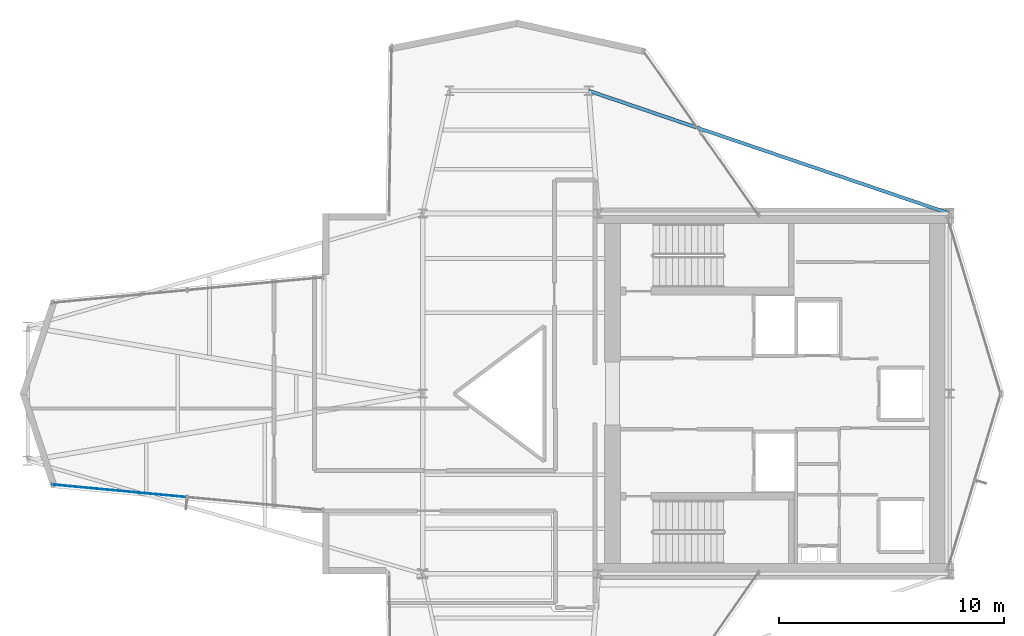
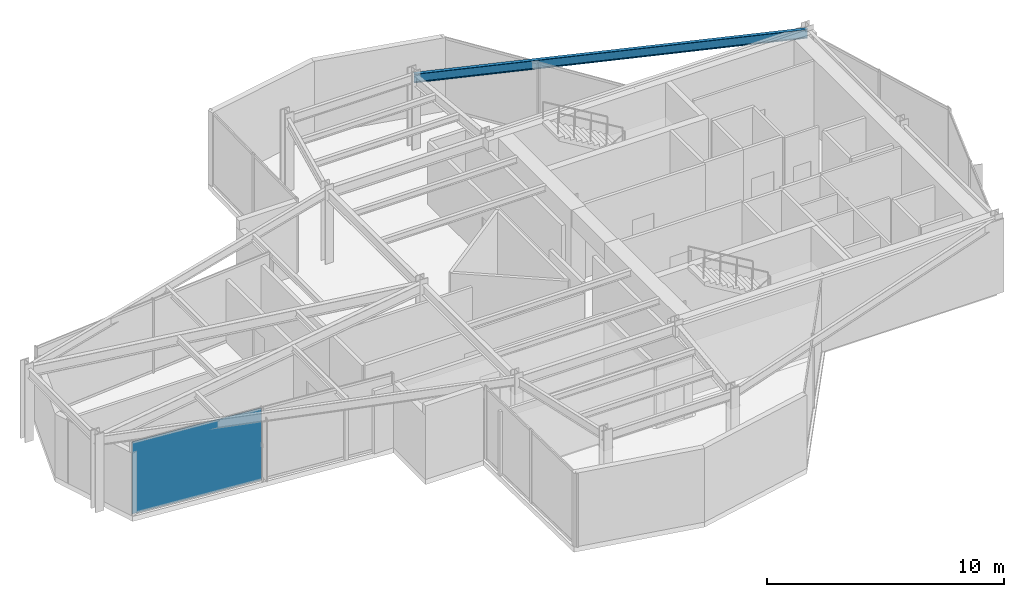
# One storey, part 17 of 24: 1 beam, 1 plate, 1 element without a shape of its own.
"""IFC4 building model written with IfcOpenShell, lengths in metres."""

from ifc_helpers import new_model, si_unit, direction, frame, origin, origin_2d, place, context, subcontext, project, spatial, rectangle, i_section, extrude, material, layer, layer_set, material_profile, profile_set, type_object, element, aggregate, save


model = new_model("IFC4")

# Units and contexts
model_context = context("Model", 3, precision=1e-05, world=origin(), true_north=direction((0.0, 1.0)))
body_context = subcontext(model_context, "Body", "Model", "MODEL_VIEW")
ifc_project = project(units=[si_unit("LENGTHUNIT", "METRE"), si_unit("AREAUNIT", "SQUARE_METRE"), si_unit("VOLUMEUNIT", "CUBIC_METRE"), si_unit("PLANEANGLEUNIT", "RADIAN"), si_unit("MASSUNIT", "GRAM", prefix="KILO")], contexts=[model_context])

# Site, building, storey
site_placement = place(None, origin())
site = spatial("IfcSite", under=ifc_project, at=site_placement, CompositionType="ELEMENT")
building_placement = place(site_placement, origin())
building = spatial("IfcBuilding", under=site, at=building_placement, Name="Veymaron Broadcast Tower", CompositionType="ELEMENT")
storey_placement = place(building_placement, frame((0.0, 0.0, 220.199951171875)))
storey = spatial("IfcBuildingStorey", under=building, at=storey_placement, Name="L51", CompositionType="ELEMENT", Elevation=220.199951171875)

# Beam
ifc_material_1 = material(Name="Structural steel ASTM A992 Gr 50", Category="steel")
ifc_material_profile = material_profile(ifc_material_1, i_section(OverallWidth=0.154052734375, OverallDepth=0.458984375, WebThickness=0.009033203125, FlangeThickness=0.015380859375, at=origin_2d()), Name="W460X68")
ifc_profile_set = profile_set([ifc_material_profile], Name="Structural steel ASTM A992 Gr 50")
beam_type = type_object("IfcBeamType", Name="BM-SP2", PredefinedType="SPANDREL", material=ifc_profile_set)
beam_placement = place(storey_placement, frame((54.60009765625, 32.0, 3.560546875), z_axis=(-0.946747509746, 0.3219769445, 0.0), x_axis=(-0.3219769445, -0.946747509746, 0.0)))
element("IfcBeam", 1, at=beam_placement, inside=storey, type_object=beam_type, Name="L51 primary structural floor girder", PredefinedType="SPANDREL", context=body_context, shape_type="SweptSolid", body=[
    extrude(i_section(OverallWidth=0.154052734375, OverallDepth=0.458984375, WebThickness=0.009033203125, FlangeThickness=0.015380859375, at=origin_2d()), origin(), (0.0, 0.0, 1.0), 16.926513671875),
])

# Curtain wall, plate
ifc_material_2 = material(Name="Anodised aluminium AA 6063-T6 and laminated low-E dark glass", Category="aluminium")
ifc_layer_1 = layer(ifc_material_2, 0.179931640625)
ifc_layer_set_1 = layer_set([ifc_layer_1], Name="Anodised aluminium AA 6063-T6 and laminated low-E dark glass")
curtain_wall_type = type_object("IfcCurtainWallType", Name="CW-SYS-05", PredefinedType="NOTDEFINED", material=ifc_layer_set_1)
curtain_wall_placement = place(storey_placement, origin())
curtain_wall = element("IfcCurtainWall", 2, at=curtain_wall_placement, inside=storey, type_object=curtain_wall_type, Name="L51 dark-glass curtain wall CW-L51-E14-1", PredefinedType="NOTDEFINED")
ifc_material_3 = material(Name="Double-silver solar-control dark glass IGU 32 mm", Category="glass")
ifc_layer_2 = layer(ifc_material_3, 0.031982421875)
ifc_layer_set_2 = layer_set([ifc_layer_2], Name="Double-silver solar-control dark glass IGU 32 mm")
plate_type = type_object("IfcPlateType", Name="CW-PNL-02", PredefinedType="CURTAIN_PANEL", material=ifc_layer_set_2)
plate_placement = place(storey_placement, frame((17.72802734375, 19.686279296875, 0.0400390625), z_axis=(0.0, 0.0, 1.0), x_axis=(0.995642083019, -0.093256863132, 0.0)))
plate = element("IfcPlate", 3, at=plate_placement, type_object=plate_type, Name="CW-L51-E14-1 unitised curtain panel 0", PredefinedType="CURTAIN_PANEL", context=body_context, shape_type="SweptSolid", body=[
    extrude(rectangle(XDim=5.996337890625, YDim=0.031982421875, at=origin_2d()), origin(), (0.0, 0.0, 1.0), 3.7099609375),
])
aggregate(curtain_wall, [plate])

save(model, "model.ifc")
